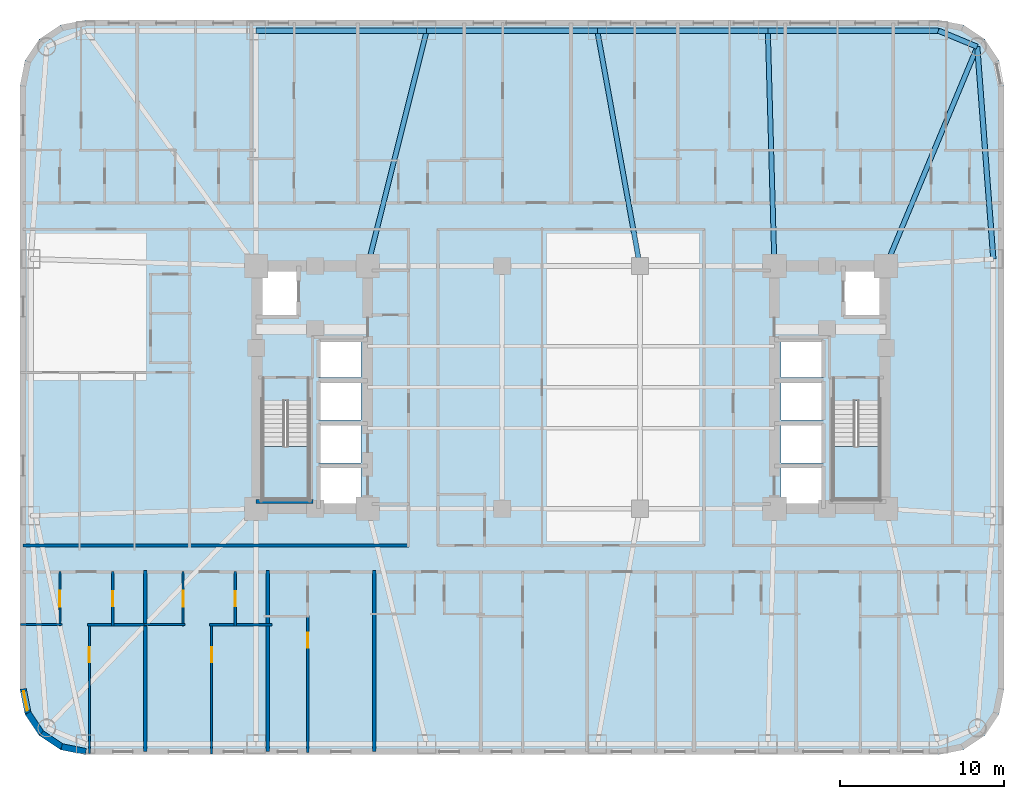
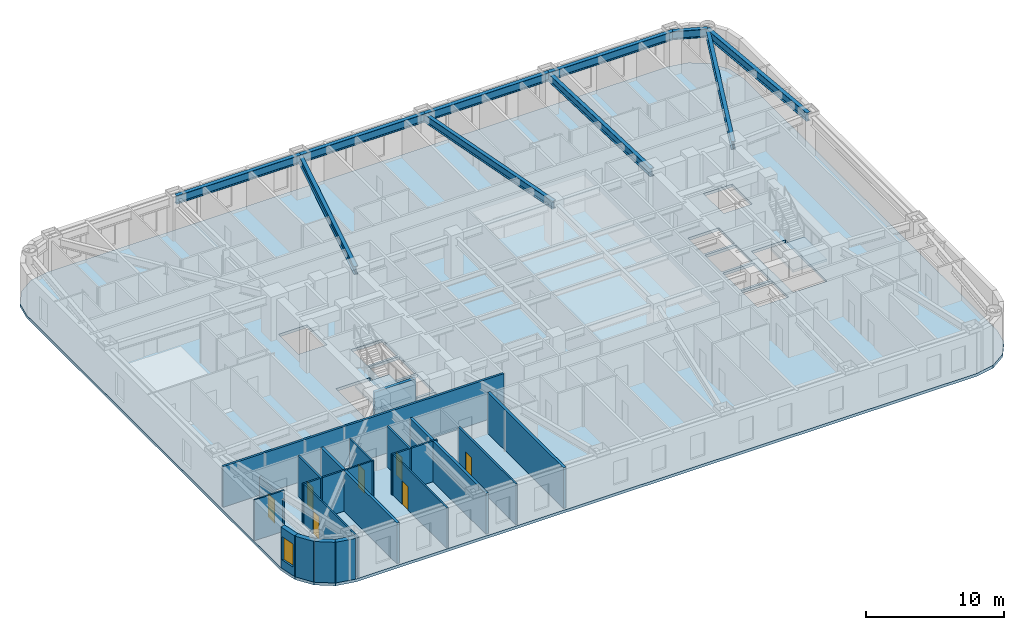
# One storey, part 2 of 11: 20 walls, 10 beams, 7 doors, 3 slabs, 1 window, 8 openings, 2 elements without a shape of their own.
"""IFC4 building model written with IfcOpenShell, lengths in metres."""

from ifc_helpers import new_model, si_unit, direction, frame, frame_2d, origin, origin_2d, place, context, subcontext, project, spatial, polyline, rectangle, i_section, outline, extrude, material, layer, layer_set, material_profile, profile_set, type_object, element, fill, aggregate, save


model = new_model("IFC4")

# Units and contexts
model_context = context("Model", 3, precision=1e-05, world=origin(), true_north=direction((0.0, 1.0)))
body_context = subcontext(model_context, "Body", "Model", "MODEL_VIEW")
ifc_project = project(units=[si_unit("LENGTHUNIT", "METRE"), si_unit("AREAUNIT", "SQUARE_METRE"), si_unit("VOLUMEUNIT", "CUBIC_METRE"), si_unit("PLANEANGLEUNIT", "RADIAN"), si_unit("MASSUNIT", "GRAM", prefix="KILO")], contexts=[model_context])

# Site, building, storey
site_placement = place(None, origin())
site = spatial("IfcSite", under=ifc_project, at=site_placement, CompositionType="ELEMENT")
building_placement = place(site_placement, origin())
building = spatial("IfcBuilding", under=site, at=building_placement, Name="Voryun Gate Residences", CompositionType="ELEMENT")
storey_placement = place(building_placement, frame((0.0, 0.0, 76.699951171875)))
storey = spatial("IfcBuildingStorey", under=building, at=storey_placement, Name="L18", CompositionType="ELEMENT", Elevation=76.699951171875)

# Beams
ifc_material_1 = material(Name="Steel SM355", Category="steel")
ifc_material_profile_1 = material_profile(ifc_material_1, i_section(OverallWidth=0.320068359375, OverallDepth=0.75, WebThickness=0.01611328125, FlangeThickness=0.028076171875, FilletRadius=0.01806640625, at=origin_2d()), Name="H-750x320x16x28")
ifc_profile_set_1 = profile_set([ifc_material_profile_1], Name="Steel SM355")
beam_type_1 = type_object("IfcBeamType", Name="BM_EXO_SPANDREL_L", PredefinedType="SPANDREL", material=ifc_profile_set_1)
beam_1_placement = place(storey_placement, frame((25.75, 7.830078125, 3.22509765625), z_axis=(-0.075617360159, 0.997136908776, 0.0), x_axis=(-0.997136908776, -0.075617360159, 0.0)))
element("IfcBeam", 1, at=beam_1_placement, inside=storey, type_object=beam_type_1, Name="BM-L18-SPAND-09", PredefinedType="SPANDREL", context=body_context, shape_type="SweptSolid", body=[
    extrude(i_section(OverallWidth=0.320068359375, OverallDepth=0.75, WebThickness=0.01611328125, FlangeThickness=0.028076171875, FilletRadius=0.01806640625, at=origin_2d()), origin(), (0.0, 0.0, 1.0), 12.975830078125),
])
beam_2_placement = place(storey_placement, frame((24.768798828125, 20.768798828125, 3.22509765625), z_axis=(-0.923883376753, 0.382674151414, 0.0), x_axis=(-0.382674151414, -0.923883376753, 0.0)))
element("IfcBeam", 2, at=beam_2_placement, inside=storey, type_object=beam_type_1, Name="BM-L18-SPAND-10", PredefinedType="SPANDREL", context=body_context, shape_type="SweptSolid", body=[
    extrude(i_section(OverallWidth=0.320068359375, OverallDepth=0.75, WebThickness=0.01611328125, FlangeThickness=0.028076171875, FilletRadius=0.01806640625, at=origin_2d()), origin(), (0.0, 0.0, 1.0), 2.56396484375),
])
for number, where, z_axis, x_axis, name in (
    (3, (22.39990234375, 21.75, 3.22509765625), (-1.0, 0.0, 0.0), (0.0, -1.0, 0.0), "BM-L18-SPAND-11"),
    (4, (12.0, 21.75, 3.22509765625), (-1.0, 0.0, 0.0), (0.0, -1.0, 0.0), "BM-L18-SPAND-12"),
):
    element("IfcBeam", number, at=place(storey_placement, frame(where, z_axis=z_axis, x_axis=x_axis)), inside=storey, type_object=beam_type_1, Name=name, PredefinedType="SPANDREL", context=body_context, shape_type="SweptSolid", body=[
        extrude(i_section(OverallWidth=0.320068359375, OverallDepth=0.75, WebThickness=0.01611328125, FlangeThickness=0.028076171875, FilletRadius=0.01806640625, at=origin_2d()), origin(), (0.0, 0.0, 1.0), 10.39990234375),
    ])
beam_3_placement = place(storey_placement, frame((1.60009765625, 21.75, 3.22509765625), z_axis=(-1.0, 0.0, 0.0), x_axis=(0.0, -1.0, 0.0)))
element("IfcBeam", 5, at=beam_3_placement, inside=storey, type_object=beam_type_1, Name="BM-L18-SPAND-13", PredefinedType="SPANDREL", context=body_context, shape_type="SweptSolid", body=[
    extrude(i_section(OverallWidth=0.320068359375, OverallDepth=0.75, WebThickness=0.01611328125, FlangeThickness=0.028076171875, FilletRadius=0.01806640625, at=origin_2d()), origin(), (0.0, 0.0, 1.0), 10.400146484375),
])
beam_4_placement = place(storey_placement, frame((-8.800048828125, 21.75, 3.22509765625), z_axis=(-1.0, 0.0, 0.0), x_axis=(0.0, -1.0, 0.0)))
element("IfcBeam", 6, at=beam_4_placement, inside=storey, type_object=beam_type_1, Name="BM-L18-SPAND-14", PredefinedType="SPANDREL", context=body_context, shape_type="SweptSolid", body=[
    extrude(i_section(OverallWidth=0.320068359375, OverallDepth=0.75, WebThickness=0.01611328125, FlangeThickness=0.028076171875, FilletRadius=0.01806640625, at=origin_2d()), origin(), (0.0, 0.0, 1.0), 10.39990234375),
])
ifc_material_2 = material(Name="Steel SM355", Category="steel")
ifc_material_profile_2 = material_profile(ifc_material_2, i_section(OverallWidth=0.300048828125, OverallDepth=0.699951171875, WebThickness=0.012939453125, FlangeThickness=0.02392578125, FilletRadius=0.01806640625, at=origin_2d()), Name="H-700x300x13x24")
ifc_profile_set_2 = profile_set([ifc_material_profile_2], Name="Steel SM355")
beam_type_2 = type_object("IfcBeamType", Name="BM_GIRD_700", PredefinedType="USERDEFINED", material=ifc_profile_set_2)
beam_5_placement = place(storey_placement, frame((19.199951171875, 7.39990234375, 3.25), z_axis=(0.384525607719, 0.923114324993, 0.0), x_axis=(-0.923114324993, 0.384525607719, 0.0)))
element("IfcBeam", 7, at=beam_5_placement, inside=storey, type_object=beam_type_2, Name="BM-L18-RAD-CNE", ObjectType="GIRDER", PredefinedType="USERDEFINED", context=body_context, shape_type="SweptSolid", body=[
    extrude(i_section(OverallWidth=0.300048828125, OverallDepth=0.699951171875, WebThickness=0.012939453125, FlangeThickness=0.02392578125, FilletRadius=0.01806640625, at=origin_2d()), origin(), (0.0, 0.0, 1.0), 14.482421875),
])
beam_6_placement = place(storey_placement, frame((12.39990234375, 7.39990234375, 3.25), z_axis=(-0.0278567548, 0.999611925305, 0.0), x_axis=(-0.999611925305, -0.0278567548, 0.0)))
element("IfcBeam", 8, at=beam_6_placement, inside=storey, type_object=beam_type_2, Name="BM-L18-RAD-N2", ObjectType="GIRDER", PredefinedType="USERDEFINED", context=body_context, shape_type="SweptSolid", body=[
    extrude(i_section(OverallWidth=0.300048828125, OverallDepth=0.699951171875, WebThickness=0.012939453125, FlangeThickness=0.02392578125, FilletRadius=0.01806640625, at=origin_2d()), origin(), (0.0, 0.0, 1.0), 14.355712890625),
])
beam_7_placement = place(storey_placement, frame((4.199951171875, 7.39990234375, 3.25), z_axis=(-0.178271088758, 0.983981411874, 0.0), x_axis=(-0.983981411874, -0.178271088758, 0.0)))
element("IfcBeam", 9, at=beam_7_placement, inside=storey, type_object=beam_type_2, Name="BM-L18-RAD-N3", ObjectType="GIRDER", PredefinedType="USERDEFINED", context=body_context, shape_type="SweptSolid", body=[
    extrude(i_section(OverallWidth=0.300048828125, OverallDepth=0.699951171875, WebThickness=0.012939453125, FlangeThickness=0.02392578125, FilletRadius=0.01806640625, at=origin_2d()), origin(), (0.0, 0.0, 1.0), 14.583740234375),
])
beam_8_placement = place(storey_placement, frame((-12.39990234375, 7.39990234375, 3.25), z_axis=(0.243319869291, 0.969946102218, 0.0), x_axis=(-0.969946102218, 0.243319869291, 0.0)))
element("IfcBeam", 10, at=beam_8_placement, inside=storey, type_object=beam_type_2, Name="BM-L18-RAD-N4", ObjectType="GIRDER", PredefinedType="USERDEFINED", context=body_context, shape_type="SweptSolid", body=[
    extrude(i_section(OverallWidth=0.300048828125, OverallDepth=0.699951171875, WebThickness=0.012939453125, FlangeThickness=0.02392578125, FilletRadius=0.01806640625, at=origin_2d()), origin(), (0.0, 0.0, 1.0), 14.794677734375),
])

# Slab
ifc_material_3 = material(Name="Concrete C40/50", Category="concrete")
ifc_layer_1 = layer(ifc_material_3, 0.25, Name="SLB_RES_250")
ifc_layer_set_1 = layer_set([ifc_layer_1], Name="Concrete C40/50")
slab_type_1 = type_object("IfcSlabType", Name="SLB_RES_250", PredefinedType="FLOOR", material=ifc_layer_set_1)
slab_1_placement = place(storey_placement, frame((0.0, 0.0, -0.25)))
element("IfcSlab", 11, at=slab_1_placement, inside=storey, type_object=slab_type_1, Name="L18 Structural Floor Slab", PredefinedType="FLOOR", context=body_context, shape_type="SweptSolid", body=[
    extrude(outline(polyline([(-29.60009765625, -22.39990234375), (-31.130615234375, -22.095458984375), (-32.428466796875, -21.228515625), (-33.29541015625, -19.9306640625), (-33.60009765625, -18.39990234375), (-33.60009765625, 18.39990234375), (-33.29541015625, 19.9306640625), (-32.428466796875, 21.228515625), (-31.130615234375, 22.095458984375), (-29.60009765625, 22.39990234375), (22.39990234375, 22.39990234375), (23.9306640625, 22.095458984375), (25.228515625, 21.228515625), (26.095458984375, 19.9306640625), (26.39990234375, 18.39990234375), (26.39990234375, -18.39990234375), (26.095458984375, -19.9306640625), (25.228515625, -21.228515625), (23.9306640625, -22.095458984375), (22.39990234375, -22.39990234375), (-29.60009765625, -22.39990234375)]), holes=[polyline([(-12.800048828125, -4.800048828125), (-15.39990234375, -4.800048828125), (-15.39990234375, -7.199951171875), (-12.800048828125, -7.199951171875), (-12.800048828125, -4.800048828125)]), polyline([(-18.824951171875, -6.85009765625), (-15.97509765625, -6.85009765625), (-15.97509765625, -0.840087890625), (-18.824951171875, -0.840087890625), (-18.824951171875, -6.85009765625)]), polyline([(-12.800048828125, -4.60009765625), (-12.800048828125, -2.199951171875), (-15.39990234375, -2.199951171875), (-15.39990234375, -4.60009765625), (-12.800048828125, -4.60009765625)]), polyline([(-12.800048828125, 0.39990234375), (-15.39990234375, 0.39990234375), (-15.39990234375, -2.0), (-12.800048828125, -2.0), (-12.800048828125, 0.39990234375)]), polyline([(-12.800048828125, 0.60009765625), (-12.800048828125, 2.89990234375), (-15.39990234375, 2.89990234375), (-15.39990234375, 0.60009765625), (-12.800048828125, 0.60009765625)]), polyline([(-16.60009765625, 4.300048828125), (-16.60009765625, 7.199951171875), (-19.0, 7.199951171875), (-19.0, 4.300048828125), (-16.60009765625, 4.300048828125)]), polyline([(15.39990234375, -4.800048828125), (12.800048828125, -4.800048828125), (12.800048828125, -7.199951171875), (15.39990234375, -7.199951171875), (15.39990234375, -4.800048828125)]), polyline([(15.97509765625, -6.85009765625), (18.824951171875, -6.85009765625), (18.824951171875, -0.840087890625), (15.97509765625, -0.840087890625), (15.97509765625, -6.85009765625)]), polyline([(15.39990234375, -4.60009765625), (15.39990234375, -2.199951171875), (12.800048828125, -2.199951171875), (12.800048828125, -4.60009765625), (15.39990234375, -4.60009765625)]), polyline([(15.39990234375, 0.39990234375), (12.800048828125, 0.39990234375), (12.800048828125, -2.0), (15.39990234375, -2.0), (15.39990234375, 0.39990234375)]), polyline([(15.39990234375, 0.60009765625), (15.39990234375, 2.89990234375), (12.800048828125, 2.89990234375), (12.800048828125, 0.60009765625), (15.39990234375, 0.60009765625)]), polyline([(19.0, 4.300048828125), (19.0, 7.199951171875), (16.60009765625, 7.199951171875), (16.60009765625, 4.300048828125), (19.0, 4.300048828125)])]), origin(), (0.0, 0.0, 1.0), 0.25),
])

# Stair, slab
ifc_material_4 = material(Name="Concrete C40/50", Category="concrete")
stair_type = type_object("IfcStairType", Name="STR_CORE_DOGLEG_1350", PredefinedType="HALF_TURN_STAIR", material=ifc_material_4)
stair_1_placement = place(storey_placement, origin())
stair_1 = element("IfcStair", 12, at=stair_1_placement, inside=storey, type_object=stair_type, Name="L18 Special Escape Stair ST-W1", PredefinedType="HALF_TURN_STAIR")
ifc_material_5 = material(Name="Concrete C40/50", Category="concrete")
ifc_layer_2 = layer(ifc_material_5, 0.199951171875, Name="SLB_STAIR_LANDING_200")
ifc_layer_set_2 = layer_set([ifc_layer_2], Name="Concrete C40/50")
slab_type_2 = type_object("IfcSlabType", Name="SLB_STAIR_LANDING_200", PredefinedType="LANDING", material=ifc_layer_set_2)
slab_2_placement = place(storey_placement, frame((0.0, 0.0, 1.75)))
slab_2 = element("IfcSlab", 13, at=slab_2_placement, type_object=slab_type_2, Name="ST-W1 landing 1", PredefinedType="LANDING", context=body_context, shape_type="SweptSolid", body=[
    extrude(outline(polyline([(-18.824951171875, -3.60009765625), (-18.824951171875, -6.85009765625), (-15.97509765625, -6.85009765625), (-15.97509765625, -3.60009765625), (-18.824951171875, -3.60009765625)])), origin(), (0.0, 0.0, 1.0), 0.199951171875),
])
aggregate(stair_1, [slab_2])

stair_2_placement = place(storey_placement, origin())
stair_2 = element("IfcStair", 14, at=stair_2_placement, inside=storey, type_object=stair_type, Name="L18 Special Escape Stair ST-E1", PredefinedType="HALF_TURN_STAIR")
slab_3_placement = place(storey_placement, frame((0.0, 0.0, 1.75)))
slab_3 = element("IfcSlab", 15, at=slab_3_placement, type_object=slab_type_2, Name="ST-E1 landing 1", PredefinedType="LANDING", context=body_context, shape_type="SweptSolid", body=[
    extrude(outline(polyline([(15.97509765625, -3.60009765625), (15.97509765625, -6.85009765625), (18.824951171875, -6.85009765625), (18.824951171875, -3.60009765625), (15.97509765625, -3.60009765625)])), origin(), (0.0, 0.0, 1.0), 0.199951171875),
])
aggregate(stair_2, [slab_3])

# Walls
ifc_material_6 = material(Name="Gypsum acoustic fireboard")
ifc_layer_3 = layer(ifc_material_6, 0.179931640625, Name="W_CORR_RATED_180")
ifc_layer_set_3 = layer_set([ifc_layer_3], Name="Gypsum acoustic fireboard")
wall_type_1 = type_object("IfcWallType", Name="W_CORR_RATED_180", PredefinedType="PARTITIONING", material=ifc_layer_set_3)
wall_1_placement = place(storey_placement, frame((-33.409912109375, -9.639892578125, 0.0), z_axis=(0.0, 0.0, 1.0), x_axis=(1.0, 0.0, 0.0)))
element("IfcWall", 16, at=wall_1_placement, inside=storey, type_object=wall_type_1, Name="Partition wall WP-L18-CWING-WS", PredefinedType="PARTITIONING", context=body_context, shape_type="SweptSolid", body=[
    extrude(rectangle(XDim=23.530029296875, YDim=0.179931640625, at=frame_2d((11.76513671875, 0.0))), origin(), (0.0, 0.0, 1.0), 3.60009765625),
])
ifc_material_7 = material(Name="Granite masonry", Category="masonry")
ifc_layer_4 = layer(ifc_material_7, 0.3798828125, Name="W_EXT_GRANITE_380")
ifc_layer_set_4 = layer_set([ifc_layer_4], Name="Granite masonry")
wall_type_2 = type_object("IfcWallType", Name="W_EXT_GRANITE_380", PredefinedType="ELEMENTEDWALL", material=ifc_layer_set_4)
wall_2_placement = place(storey_placement, frame((-29.581298828125, -22.2099609375, 0.0), z_axis=(0.0, 0.0, 1.0), x_axis=(-0.980786132421, 0.195086038585, 0.0)))
element("IfcWall", 17, at=wall_2_placement, inside=storey, type_object=wall_type_2, Name="Exterior wall WEXT-L18-02", PredefinedType="ELEMENTEDWALL", context=body_context, shape_type="SweptSolid", body=[
    extrude(rectangle(XDim=1.504150390625, YDim=0.3798828125, at=frame_2d((0.751953125, 0.0))), origin(), (0.0, 0.0, 1.0), 3.60009765625),
])
wall_3_placement = place(storey_placement, frame((-31.056640625, -21.91650390625, 0.0), z_axis=(0.0, 0.0, 1.0), x_axis=(-0.831442848281, 0.555610286119, 0.0)))
element("IfcWall", 18, at=wall_3_placement, inside=storey, type_object=wall_type_2, Name="Exterior wall WEXT-L18-03", PredefinedType="ELEMENTEDWALL", context=body_context, shape_type="SweptSolid", body=[
    extrude(rectangle(XDim=1.485107421875, YDim=0.3798828125, at=frame_2d((0.74267578125, 0.0))), origin(), (0.0, 0.0, 1.0), 3.60009765625),
])
wall_4_placement = place(storey_placement, frame((-32.29150390625, -21.09130859375, 0.0), z_axis=(0.0, 0.0, 1.0), x_axis=(-0.555572577804, 0.831468045563, 0.0)))
element("IfcWall", 19, at=wall_4_placement, inside=storey, type_object=wall_type_2, Name="Exterior wall WEXT-L18-04", PredefinedType="ELEMENTEDWALL", context=body_context, shape_type="SweptSolid", body=[
    extrude(rectangle(XDim=1.48486328125, YDim=0.3798828125, at=frame_2d((0.742431640625, 0.0))), origin(), (0.0, 0.0, 1.0), 3.60009765625),
])

# Wall, opening, window
wall_5_placement = place(storey_placement, frame((-33.116455078125, -19.856689453125, 0.0), z_axis=(0.0, 0.0, 1.0), x_axis=(-0.195086038585, 0.980786132421, 0.0)))
wall_5 = element("IfcWall", 20, at=wall_5_placement, inside=storey, type_object=wall_type_2, Name="Exterior wall WEXT-L18-05", PredefinedType="ELEMENTEDWALL", context=body_context, shape_type="SweptSolid", body=[
    extrude(rectangle(XDim=1.504150390625, YDim=0.3798828125, at=frame_2d((0.751953125, 0.0))), origin(), (0.0, 0.0, 1.0), 3.60009765625),
])
opening_1_placement = place(wall_5_placement, frame((0.152099609375, 0.0, 0.75)))
opening_1 = element("IfcOpeningElement", 21, at=opening_1_placement, cuts=wall_5, Name="Opening WN6", PredefinedType="OPENING", context=body_context, shape_type="SweptSolid", body=[
    extrude(rectangle(XDim=1.199951171875, YDim=2.050048828125, at=frame_2d((0.60009765625, 1.02490234375))), frame((0.0, 0.199951171875, 0.0), z_axis=(0.0, -1.0, 0.0), x_axis=(1.0, 0.0, 0.0)), (0.0, 0.0, 1.0), 0.39990234375),
])
ifc_material_8 = material(Name="Laminated low-E glass", Category="glass")
window_type = type_object("IfcWindowType", Name="WN_POD_SLOT_1200", PartitioningType="SINGLE_PANEL", PredefinedType="WINDOW", material=ifc_material_8)
window_placement = place(opening_1_placement, origin())
window = element("IfcWindow", 22, at=window_placement, inside=storey, type_object=window_type, Name="Window WN-L18-DWFIX-16", OverallHeight=2.050048828125, OverallWidth=1.199951171875, PartitioningType="SINGLE_PANEL", PredefinedType="WINDOW", context=body_context, shape_type="SweptSolid", body=[
    extrude(rectangle(XDim=1.199951171875, YDim=2.050048828125, at=frame_2d((0.60009765625, 1.02490234375))), frame((0.0, 0.030029296875, 0.0), z_axis=(0.0, -1.0, 0.0), x_axis=(1.0, 0.0, 0.0)), (0.0, 0.0, 1.0), 0.06005859375),
])
fill(opening_1, window)

# Walls
ifc_material_9 = material(Name="Concrete C40/50", Category="concrete")
ifc_layer_5 = layer(ifc_material_9, 0.219970703125, Name="W_PARTY_ACOUSTIC_220")
ifc_layer_set_5 = layer_set([ifc_layer_5], Name="Concrete C40/50")
wall_type_3 = type_object("IfcWallType", Name="W_PARTY_ACOUSTIC_220", PredefinedType="PARTITIONING", material=ifc_layer_set_5)
for number, where, z_axis, x_axis, name in (
    (23, (-25.958984375, -22.2099609375, 0.0), (0.0, 0.0, 1.0), (0.0, 1.0, 0.0), "Partition wall WP-L18-SPTY-1"),
    (24, (-18.5, -22.2099609375, 0.0), (0.0, 0.0, 1.0), (0.0, 1.0, 0.0), "Partition wall WP-L18-SPTY-2"),
    (25, (-12.0, -22.2099609375, 0.0), (0.0, 0.0, 1.0), (0.0, 1.0, 0.0), "Partition wall WP-L18-SPTY-3"),
):
    element("IfcWall", number, at=place(storey_placement, frame(where, z_axis=z_axis, x_axis=x_axis)), inside=storey, type_object=wall_type_3, Name=name, PredefinedType="PARTITIONING", context=body_context, shape_type="SweptSolid", body=[
        extrude(rectangle(XDim=11.0400390625, YDim=0.219970703125, at=frame_2d((5.52001953125, 0.0))), origin(), (0.0, 0.0, 1.0), 3.60009765625),
    ])
ifc_material_10 = material(Name="Concrete C50/60", Category="concrete")
ifc_layer_6 = layer(ifc_material_10, 0.25, Name="W_SHAFT_RC250")
ifc_layer_set_6 = layer_set([ifc_layer_6], Name="Concrete C50/60")
wall_type_4 = type_object("IfcWallType", Name="W_SHAFT_RC250", PredefinedType="SOLIDWALL", material=ifc_layer_set_6)
wall_6_placement = place(storey_placement, frame((-19.199951171875, -6.965087890625, 0.0), z_axis=(0.0, 0.0, 1.0), x_axis=(1.0, 0.0, 0.0)))
element("IfcWall", 26, at=wall_6_placement, inside=storey, type_object=wall_type_4, Name="L18 Stair shaft structural wall W-STS", PredefinedType="SOLIDWALL", context=body_context, shape_type="SweptSolid", body=[
    extrude(rectangle(XDim=3.4599609375, YDim=0.25, at=frame_2d((1.72998046875, 0.0))), origin(), (0.0, 0.0, 1.0), 3.60009765625),
])

# Wall, opening, door
ifc_material_11 = material(Name="Gypsum acoustic partition")
ifc_layer_7 = layer(ifc_material_11, 0.125, Name="W_UNIT_PART_125")
ifc_layer_set_7 = layer_set([ifc_layer_7], Name="Gypsum acoustic partition")
wall_type_5 = type_object("IfcWallType", Name="W_UNIT_PART_125", PredefinedType="PARTITIONING", material=ifc_layer_set_7)
wall_7_placement = place(storey_placement, frame((-29.368896484375, -22.360107421875, 0.0), z_axis=(0.0, 0.0, 1.0), x_axis=(0.0, 1.0, 0.0)))
wall_7 = element("IfcWall", 27, at=wall_7_placement, inside=storey, type_object=wall_type_5, Name="Partition wall WP-L18-S1-OVR", PredefinedType="PARTITIONING", context=body_context, shape_type="SweptSolid", body=[
    extrude(rectangle(XDim=7.97021484375, YDim=0.125, at=frame_2d((3.985107421875, 0.0))), origin(), (0.0, 0.0, 1.0), 3.60009765625),
])
opening_2_placement = place(wall_7_placement, frame((5.607177734375, 0.0, 0.0)))
opening_2 = element("IfcOpeningElement", 28, at=opening_2_placement, cuts=wall_7, Name="Opening D-INT-2", PredefinedType="OPENING", context=body_context, shape_type="SweptSolid", body=[
    extrude(rectangle(XDim=0.89990234375, YDim=2.050048828125, at=frame_2d((0.449951171875, 1.02490234375))), frame((0.0, 0.072509765625, 0.0), z_axis=(0.0, -1.0, 0.0), x_axis=(1.0, 0.0, 0.0)), (0.0, 0.0, 1.0), 0.14501953125),
])
ifc_material_12 = material(Name="Architectural oak veneer")
door_type_1 = type_object("IfcDoorType", Name="DR_INT_BATH_900", OperationType="NOTDEFINED", PredefinedType="DOOR", material=ifc_material_12)
door_1_placement = place(opening_2_placement, origin())
door_1 = element("IfcDoor", 29, at=door_1_placement, inside=storey, type_object=door_type_1, Name="Door DR-L18-S1-DMB", OperationType="SINGLE_SWING_RIGHT", OverallHeight=2.050048828125, OverallWidth=0.89990234375, PredefinedType="DOOR", context=body_context, shape_type="SweptSolid", body=[
    extrude(rectangle(XDim=0.89990234375, YDim=2.050048828125, at=frame_2d((0.449951171875, 1.02490234375))), frame((0.0, 0.02490234375, 0.0), z_axis=(0.0, -1.0, 0.0), x_axis=(1.0, 0.0, 0.0)), (0.0, 0.0, 1.0), 0.050048828125),
])
fill(opening_2, door_1)

wall_8_placement = place(storey_placement, frame((-31.16796875, -14.550048828125, 0.0), z_axis=(0.0, 0.0, 1.0), x_axis=(0.0, 1.0, 0.0)))
wall_8 = element("IfcWall", 30, at=wall_8_placement, inside=storey, type_object=wall_type_5, Name="Partition wall WP-L18-S1-IVK", PredefinedType="PARTITIONING", context=body_context, shape_type="SweptSolid", body=[
    extrude(rectangle(XDim=3.320068359375, YDim=0.125, at=frame_2d((1.66015625, 0.0))), origin(), (0.0, 0.0, 1.0), 2.89013671875),
])
opening_3_placement = place(wall_8_placement, frame((1.18505859375, 0.0, 0.0)))
opening_3 = element("IfcOpeningElement", 31, at=opening_3_placement, cuts=wall_8, Name="Opening D-INT-1", PredefinedType="OPENING", context=body_context, shape_type="SweptSolid", body=[
    extrude(rectangle(XDim=0.949951171875, YDim=2.050048828125, at=frame_2d((0.47509765625, 1.02490234375))), frame((0.0, 0.072509765625, 0.0), z_axis=(0.0, -1.0, 0.0), x_axis=(1.0, 0.0, 0.0)), (0.0, 0.0, 1.0), 0.14501953125),
])
ifc_material_13 = material(Name="Architectural oak veneer")
door_type_2 = type_object("IfcDoorType", Name="DR_INT_ROOM_950", OperationType="NOTDEFINED", PredefinedType="DOOR", material=ifc_material_13)
door_2_placement = place(opening_3_placement, origin())
door_2 = element("IfcDoor", 32, at=door_2_placement, inside=storey, type_object=door_type_2, Name="Door DR-L18-S1-DK", OperationType="SINGLE_SWING_LEFT", OverallHeight=2.050048828125, OverallWidth=0.949951171875, PredefinedType="DOOR", context=body_context, shape_type="SweptSolid", body=[
    extrude(rectangle(XDim=0.949951171875, YDim=2.050048828125, at=frame_2d((0.47509765625, 1.02490234375))), frame((0.0, 0.02490234375, 0.0), z_axis=(0.0, -1.0, 0.0), x_axis=(1.0, 0.0, 0.0)), (0.0, 0.0, 1.0), 0.050048828125),
])
fill(opening_3, door_2)

# Wall
wall_9_placement = place(storey_placement, frame((-33.56005859375, -14.469970703125, 0.0), z_axis=(0.0, 0.0, 1.0), x_axis=(1.0, 0.0, 0.0)))
element("IfcWall", 33, at=wall_9_placement, inside=storey, type_object=wall_type_5, Name="Partition wall WP-L18-S1-HZK", PredefinedType="PARTITIONING", context=body_context, shape_type="SweptSolid", body=[
    extrude(rectangle(XDim=2.511962890625, YDim=0.125, at=frame_2d((1.255859375, 0.0))), origin(), (0.0, 0.0, 1.0), 3.60009765625),
])

# Wall, opening, door
wall_10_placement = place(storey_placement, frame((-21.909912109375, -22.360107421875, 0.0), z_axis=(0.0, 0.0, 1.0), x_axis=(0.0, 1.0, 0.0)))
wall_10 = element("IfcWall", 34, at=wall_10_placement, inside=storey, type_object=wall_type_5, Name="Partition wall WP-L18-S2-OVR", PredefinedType="PARTITIONING", context=body_context, shape_type="SweptSolid", body=[
    extrude(rectangle(XDim=7.97021484375, YDim=0.125, at=frame_2d((3.985107421875, 0.0))), origin(), (0.0, 0.0, 1.0), 3.60009765625),
])
opening_4_placement = place(wall_10_placement, frame((5.607177734375, 0.0, 0.0)))
opening_4 = element("IfcOpeningElement", 35, at=opening_4_placement, cuts=wall_10, Name="Opening D-INT-2", PredefinedType="OPENING", context=body_context, shape_type="SweptSolid", body=[
    extrude(rectangle(XDim=0.89990234375, YDim=2.050048828125, at=frame_2d((0.449951171875, 1.02490234375))), frame((0.0, 0.072509765625, 0.0), z_axis=(0.0, -1.0, 0.0), x_axis=(1.0, 0.0, 0.0)), (0.0, 0.0, 1.0), 0.14501953125),
])
door_3_placement = place(opening_4_placement, origin())
door_3 = element("IfcDoor", 36, at=door_3_placement, inside=storey, type_object=door_type_1, Name="Door DR-L18-S2-DMB", OperationType="SINGLE_SWING_RIGHT", OverallHeight=2.050048828125, OverallWidth=0.89990234375, PredefinedType="DOOR", context=body_context, shape_type="SweptSolid", body=[
    extrude(rectangle(XDim=0.89990234375, YDim=2.050048828125, at=frame_2d((0.449951171875, 1.02490234375))), frame((0.0, 0.02490234375, 0.0), z_axis=(0.0, -1.0, 0.0), x_axis=(1.0, 0.0, 0.0)), (0.0, 0.0, 1.0), 0.050048828125),
])
fill(opening_4, door_3)

wall_11_placement = place(storey_placement, frame((-23.64892578125, -14.550048828125, 0.0), z_axis=(0.0, 0.0, 1.0), x_axis=(0.0, 1.0, 0.0)))
wall_11 = element("IfcWall", 37, at=wall_11_placement, inside=storey, type_object=wall_type_5, Name="Partition wall WP-L18-S2-IVK", PredefinedType="PARTITIONING", context=body_context, shape_type="SweptSolid", body=[
    extrude(rectangle(XDim=3.320068359375, YDim=0.125, at=frame_2d((1.66015625, 0.0))), origin(), (0.0, 0.0, 1.0), 3.60009765625),
])
opening_5_placement = place(wall_11_placement, frame((1.18505859375, 0.0, 0.0)))
opening_5 = element("IfcOpeningElement", 38, at=opening_5_placement, cuts=wall_11, Name="Opening D-INT-1", PredefinedType="OPENING", context=body_context, shape_type="SweptSolid", body=[
    extrude(rectangle(XDim=0.949951171875, YDim=2.050048828125, at=frame_2d((0.47509765625, 1.02490234375))), frame((0.0, 0.072509765625, 0.0), z_axis=(0.0, -1.0, 0.0), x_axis=(1.0, 0.0, 0.0)), (0.0, 0.0, 1.0), 0.14501953125),
])
door_4_placement = place(opening_5_placement, origin())
door_4 = element("IfcDoor", 39, at=door_4_placement, inside=storey, type_object=door_type_2, Name="Door DR-L18-S2-DK", OperationType="SINGLE_SWING_LEFT", OverallHeight=2.050048828125, OverallWidth=0.949951171875, PredefinedType="DOOR", context=body_context, shape_type="SweptSolid", body=[
    extrude(rectangle(XDim=0.949951171875, YDim=2.050048828125, at=frame_2d((0.47509765625, 1.02490234375))), frame((0.0, 0.02490234375, 0.0), z_axis=(0.0, -1.0, 0.0), x_axis=(1.0, 0.0, 0.0)), (0.0, 0.0, 1.0), 0.050048828125),
])
fill(opening_5, door_4)

# Walls
wall_12_placement = place(storey_placement, frame((-26.033935546875, -14.469970703125, 0.0), z_axis=(0.0, 0.0, 1.0), x_axis=(1.0, 0.0, 0.0)))
element("IfcWall", 40, at=wall_12_placement, inside=storey, type_object=wall_type_5, Name="Partition wall WP-L18-S2-HZK", PredefinedType="PARTITIONING", context=body_context, shape_type="SweptSolid", body=[
    extrude(rectangle(XDim=2.5048828125, YDim=0.125, at=frame_2d((1.25244140625, 0.0))), origin(), (0.0, 0.0, 1.0), 3.60009765625),
])
ifc_material_14 = material(Name="Gypsum moisture-resistant partition")
ifc_layer_8 = layer(ifc_material_14, 0.14990234375, Name="W_WET_PLUMB_150")
ifc_layer_set_8 = layer_set([ifc_layer_8], Name="Gypsum moisture-resistant partition")
wall_type_6 = type_object("IfcWallType", Name="W_WET_PLUMB_150", PredefinedType="PLUMBINGWALL", material=ifc_layer_set_8)
wall_13_placement = place(storey_placement, frame((-29.489013671875, -14.469970703125, 0.0), z_axis=(0.0, 0.0, 1.0), x_axis=(1.0, 0.0, 0.0)))
element("IfcWall", 41, at=wall_13_placement, inside=storey, type_object=wall_type_6, Name="Partition wall WP-L18-S1-HZB", PredefinedType="PLUMBINGWALL", context=body_context, shape_type="SweptSolid", body=[
    extrude(rectangle(XDim=3.60498046875, YDim=0.14990234375, at=frame_2d((1.802490234375, 0.0))), origin(), (0.0, 0.0, 1.0), 3.60009765625),
])

# Wall, opening, door
wall_14_placement = place(storey_placement, frame((-27.93896484375, -14.550048828125, 0.0), z_axis=(0.0, 0.0, 1.0), x_axis=(0.0, 1.0, 0.0)))
wall_14 = element("IfcWall", 42, at=wall_14_placement, inside=storey, type_object=wall_type_6, Name="Partition wall WP-L18-S1-IVB", PredefinedType="PLUMBINGWALL", context=body_context, shape_type="SweptSolid", body=[
    extrude(rectangle(XDim=3.320068359375, YDim=0.14990234375, at=frame_2d((1.66015625, 0.0))), origin(), (0.0, 0.0, 1.0), 3.60009765625),
])
opening_6_placement = place(wall_14_placement, frame((1.2099609375, 0.0, 0.0)))
opening_6 = element("IfcOpeningElement", 43, at=opening_6_placement, cuts=wall_14, Name="Opening D-INT-2", PredefinedType="OPENING", context=body_context, shape_type="SweptSolid", body=[
    extrude(rectangle(XDim=0.89990234375, YDim=2.050048828125, at=frame_2d((0.449951171875, 1.02490234375))), frame((0.0, 0.0849609375, 0.0), z_axis=(0.0, -1.0, 0.0), x_axis=(1.0, 0.0, 0.0)), (0.0, 0.0, 1.0), 0.169921875),
])
door_5_placement = place(opening_6_placement, origin())
door_5 = element("IfcDoor", 44, at=door_5_placement, inside=storey, type_object=door_type_1, Name="Door DR-L18-S1-DB", OperationType="SINGLE_SWING_RIGHT", OverallHeight=2.050048828125, OverallWidth=0.89990234375, PredefinedType="DOOR", context=body_context, shape_type="SweptSolid", body=[
    extrude(rectangle(XDim=0.89990234375, YDim=2.050048828125, at=frame_2d((0.449951171875, 1.02490234375))), frame((0.0, 0.02490234375, 0.0), z_axis=(0.0, -1.0, 0.0), x_axis=(1.0, 0.0, 0.0)), (0.0, 0.0, 1.0), 0.050048828125),
])
fill(opening_6, door_5)

# Wall
wall_15_placement = place(storey_placement, frame((-22.030029296875, -14.469970703125, 0.0), z_axis=(0.0, 0.0, 1.0), x_axis=(1.0, 0.0, 0.0)))
element("IfcWall", 45, at=wall_15_placement, inside=storey, type_object=wall_type_6, Name="Partition wall WP-L18-S2-HZB", PredefinedType="PLUMBINGWALL", context=body_context, shape_type="SweptSolid", body=[
    extrude(rectangle(XDim=3.7900390625, YDim=0.14990234375, at=frame_2d((1.89501953125, 0.0))), origin(), (0.0, 0.0, 1.0), 3.60009765625),
])

# Wall, opening, door
wall_16_placement = place(storey_placement, frame((-20.47998046875, -14.550048828125, 0.0), z_axis=(0.0, 0.0, 1.0), x_axis=(0.0, 1.0, 0.0)))
wall_16 = element("IfcWall", 46, at=wall_16_placement, inside=storey, type_object=wall_type_6, Name="Partition wall WP-L18-S2-IVB", PredefinedType="PLUMBINGWALL", context=body_context, shape_type="SweptSolid", body=[
    extrude(rectangle(XDim=3.320068359375, YDim=0.14990234375, at=frame_2d((1.66015625, 0.0))), origin(), (0.0, 0.0, 1.0), 3.60009765625),
])
opening_7_placement = place(wall_16_placement, frame((1.2099609375, 0.0, 0.0)))
opening_7 = element("IfcOpeningElement", 47, at=opening_7_placement, cuts=wall_16, Name="Opening D-INT-2", PredefinedType="OPENING", context=body_context, shape_type="SweptSolid", body=[
    extrude(rectangle(XDim=0.89990234375, YDim=2.050048828125, at=frame_2d((0.449951171875, 1.02490234375))), frame((0.0, 0.0849609375, 0.0), z_axis=(0.0, -1.0, 0.0), x_axis=(1.0, 0.0, 0.0)), (0.0, 0.0, 1.0), 0.169921875),
])
door_6_placement = place(opening_7_placement, origin())
door_6 = element("IfcDoor", 48, at=door_6_placement, inside=storey, type_object=door_type_1, Name="Door DR-L18-S2-DB", OperationType="SINGLE_SWING_RIGHT", OverallHeight=2.050048828125, OverallWidth=0.89990234375, PredefinedType="DOOR", context=body_context, shape_type="SweptSolid", body=[
    extrude(rectangle(XDim=0.89990234375, YDim=2.050048828125, at=frame_2d((0.449951171875, 1.02490234375))), frame((0.0, 0.02490234375, 0.0), z_axis=(0.0, -1.0, 0.0), x_axis=(1.0, 0.0, 0.0)), (0.0, 0.0, 1.0), 0.050048828125),
])
fill(opening_7, door_6)

wall_17_placement = place(storey_placement, frame((-16.06005859375, -22.257568359375, 0.0), z_axis=(0.0, 0.0, 1.0), x_axis=(0.0, 1.0, 0.0)))
wall_17 = element("IfcWall", 49, at=wall_17_placement, inside=storey, type_object=wall_type_6, Name="Partition wall WP-L18-S3-SVT1", PredefinedType="PLUMBINGWALL", context=body_context, shape_type="SweptSolid", body=[
    extrude(rectangle(XDim=8.34765625, YDim=0.14990234375, at=frame_2d((4.173828125, 0.0))), origin(), (0.0, 0.0, 1.0), 3.60009765625),
])
opening_8_placement = place(wall_17_placement, frame((6.39501953125, 0.0, 0.0)))
opening_8 = element("IfcOpeningElement", 50, at=opening_8_placement, cuts=wall_17, Name="Opening D-INT-2", PredefinedType="OPENING", context=body_context, shape_type="SweptSolid", body=[
    extrude(rectangle(XDim=0.89990234375, YDim=2.050048828125, at=frame_2d((0.449951171875, 1.02490234375))), frame((0.0, 0.0849609375, 0.0), z_axis=(0.0, -1.0, 0.0), x_axis=(1.0, 0.0, 0.0)), (0.0, 0.0, 1.0), 0.169921875),
])
door_7_placement = place(opening_8_placement, origin())
door_7 = element("IfcDoor", 51, at=door_7_placement, inside=storey, type_object=door_type_1, Name="Door DR-L18-S3-DK", OperationType="SINGLE_SWING_LEFT", OverallHeight=2.050048828125, OverallWidth=0.89990234375, PredefinedType="DOOR", context=body_context, shape_type="SweptSolid", body=[
    extrude(rectangle(XDim=0.89990234375, YDim=2.050048828125, at=frame_2d((0.449951171875, 1.02490234375))), frame((0.0, 0.02490234375, 0.0), z_axis=(0.0, -1.0, 0.0), x_axis=(1.0, 0.0, 0.0)), (0.0, 0.0, 1.0), 0.050048828125),
])
fill(opening_8, door_7)

save(model, "model.ifc")
